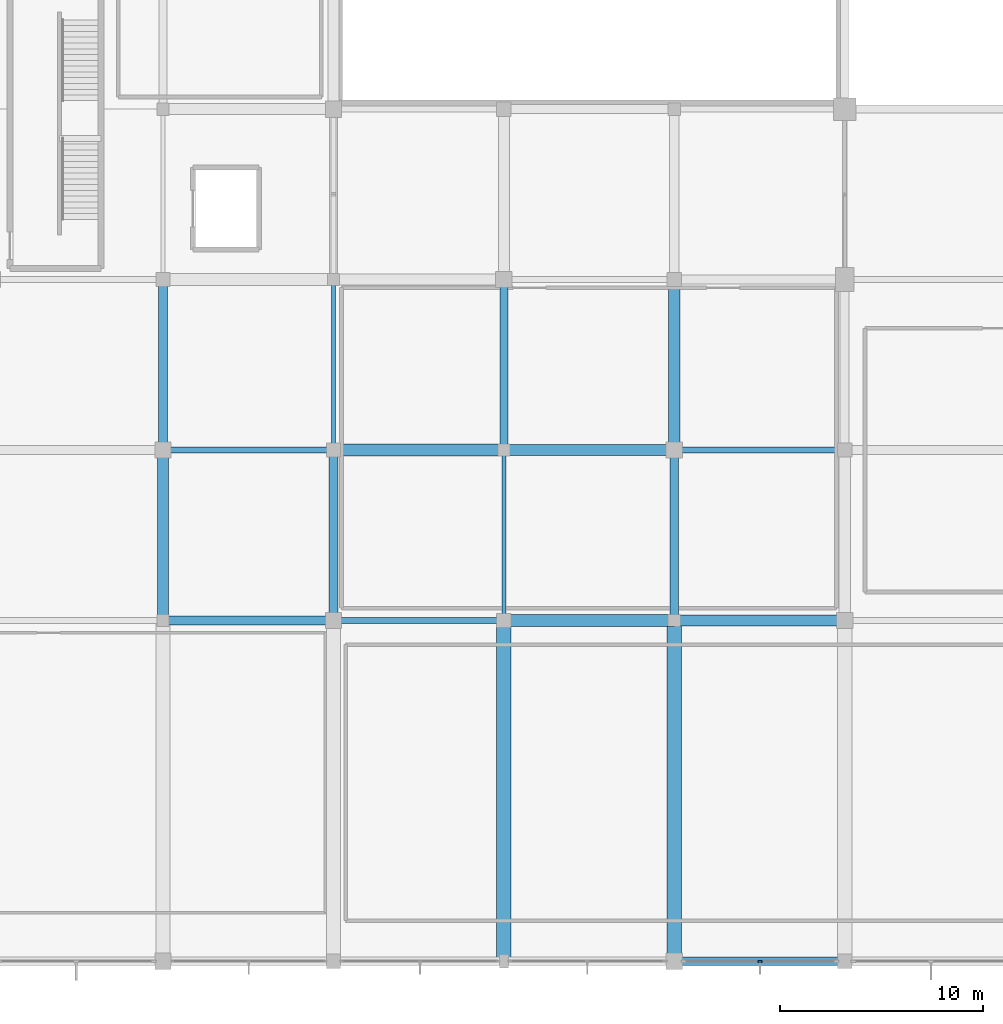
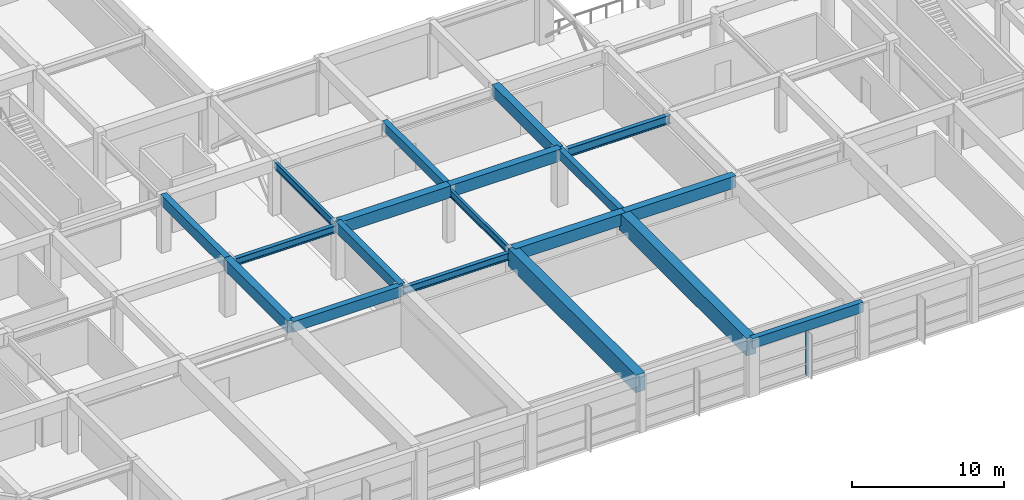
# One storey, part 12 of 65: 19 beams, 1 member, 1 element without a shape of its own.
"""IFC4 building model written with IfcOpenShell, lengths in metres."""

from ifc_helpers import new_model, si_unit, direction, frame, origin, origin_2d, place, context, subcontext, project, spatial, rectangle, i_section, extrude, material, material_profile, profile_set, type_object, element, aggregate, save


model = new_model("IFC4")

# Units and contexts
model_context = context("Model", 3, precision=1e-05, world=origin(), true_north=direction((0.0, 1.0)))
body_context = subcontext(model_context, "Body", "Model", "MODEL_VIEW")
ifc_project = project(units=[si_unit("LENGTHUNIT", "METRE"), si_unit("AREAUNIT", "SQUARE_METRE"), si_unit("VOLUMEUNIT", "CUBIC_METRE"), si_unit("PLANEANGLEUNIT", "RADIAN"), si_unit("MASSUNIT", "GRAM", prefix="KILO")], contexts=[model_context])

# Site, building, storey
site_placement = place(None, origin())
site = spatial("IfcSite", under=ifc_project, at=site_placement, CompositionType="ELEMENT")
building_placement = place(site_placement, origin())
building = spatial("IfcBuilding", under=site, at=building_placement, Name="Xuanlan Plaza Opera House", CompositionType="ELEMENT")
storey_placement = place(building_placement, frame((0.0, 0.0, 5.39990234375)))
storey = spatial("IfcBuildingStorey", under=building, at=storey_placement, Name="L01", CompositionType="ELEMENT", Elevation=5.39990234375)

# Curtain wall, member
ifc_material_1 = material(Name="Anodised Aluminium 6063-T6 and Low-E Glass", Category="aluminium")
curtain_wall_type = type_object("IfcCurtainWallType", Name="ENV-CW-CW-05", PredefinedType="USERDEFINED", material=ifc_material_1)
curtain_wall_placement = place(storey_placement, origin())
curtain_wall = element("IfcCurtainWall", 1, at=curtain_wall_placement, inside=storey, type_object=curtain_wall_type, Name="Acoustic Glazed Wall L01-006", ObjectType="ACOUSTIC GLAZED WALL", PredefinedType="USERDEFINED")
ifc_material_2 = material(Name="Anodised Aluminium 6063-T6", Category="aluminium")
ifc_material_profile_1 = material_profile(ifc_material_2, rectangle(XDim=0.080078125, YDim=0.219970703125, at=origin_2d()), Name="ALU-M 80x220")
ifc_profile_set_1 = profile_set([ifc_material_profile_1], Name="Anodised Aluminium 6063-T6")
member_type = type_object("IfcMemberType", Name="ENV-CWM-04", PredefinedType="MULLION", material=ifc_profile_set_1)
member_placement = place(storey_placement, frame((63.02490234375, 0.0, 0.0), z_axis=(0.0, 0.0, 1.0), x_axis=(0.0, 1.0, 0.0)))
member = element("IfcMember", 2, at=member_placement, type_object=member_type, Name="CW-05 mullion 2", PredefinedType="MULLION", context=body_context, shape_type="SweptSolid", body=[
    extrude(rectangle(XDim=0.080078125, YDim=0.219970703125, at=origin_2d()), origin(), (0.0, 0.0, 1.0), 3.68017578125),
])
aggregate(curtain_wall, [member])

# Beams
ifc_material_3 = material(Name="Concrete C50", Category="concrete")
ifc_material_profile_2 = material_profile(ifc_material_3, rectangle(XDim=0.60009765625, YDim=0.949951171875, at=origin_2d()), Name="RC-BM 600x950")
ifc_profile_set_2 = profile_set([ifc_material_profile_2], Name="Concrete C50")
beam_type_1 = type_object("IfcBeamType", Name="STR-BM-B-01", PredefinedType="BEAM", material=ifc_profile_set_2)
beam_1_placement = place(storey_placement, frame((50.39990234375, 16.800048828125, 4.025146484375), z_axis=(1.0, 0.0, 0.0), x_axis=(0.0, 1.0, 0.0)))
element("IfcBeam", 3, at=beam_1_placement, inside=storey, type_object=beam_type_1, Name="Grid Beam X L01 7-8/C", PredefinedType="BEAM", context=body_context, shape_type="SweptSolid", body=[
    extrude(rectangle(XDim=0.60009765625, YDim=0.949951171875, at=origin_2d()), origin(), (0.0, 0.0, 1.0), 8.400146484375),
])
beam_2_placement = place(storey_placement, frame((42.0, 25.199951171875, 4.025146484375), z_axis=(1.0, 0.0, 0.0), x_axis=(0.0, 1.0, 0.0)))
element("IfcBeam", 4, at=beam_2_placement, inside=storey, type_object=beam_type_1, Name="Grid Beam X L01 6-7/D", PredefinedType="BEAM", context=body_context, shape_type="SweptSolid", body=[
    extrude(rectangle(XDim=0.60009765625, YDim=0.949951171875, at=origin_2d()), origin(), (0.0, 0.0, 1.0), 8.39990234375),
])
ifc_material_profile_3 = material_profile(ifc_material_3, rectangle(XDim=0.550048828125, YDim=0.949951171875, at=origin_2d()), Name="RC-BM 550x950")
ifc_profile_set_3 = profile_set([ifc_material_profile_3], Name="Concrete C50")
beam_type_2 = type_object("IfcBeamType", Name="STR-BM-B-02", PredefinedType="BEAM", material=ifc_profile_set_3)
beam_3_placement = place(storey_placement, frame((58.800048828125, 16.800048828125, 4.025146484375), z_axis=(1.0, 0.0, 0.0), x_axis=(0.0, 1.0, 0.0)))
element("IfcBeam", 5, at=beam_3_placement, inside=storey, type_object=beam_type_2, Name="Grid Beam X L01 8-9/C", PredefinedType="BEAM", context=body_context, shape_type="SweptSolid", body=[
    extrude(rectangle(XDim=0.550048828125, YDim=0.949951171875, at=origin_2d()), origin(), (0.0, 0.0, 1.0), 8.39990234375),
])
beam_4_placement = place(storey_placement, frame((50.39990234375, 25.199951171875, 4.025146484375), z_axis=(1.0, 0.0, 0.0), x_axis=(0.0, 1.0, 0.0)))
element("IfcBeam", 6, at=beam_4_placement, inside=storey, type_object=beam_type_2, Name="Grid Beam X L01 7-8/D", PredefinedType="BEAM", context=body_context, shape_type="SweptSolid", body=[
    extrude(rectangle(XDim=0.550048828125, YDim=0.949951171875, at=origin_2d()), origin(), (0.0, 0.0, 1.0), 8.400146484375),
])
beam_5_placement = place(storey_placement, frame((33.60009765625, 16.800048828125, 4.025146484375), z_axis=(0.0, 1.0, 0.0), x_axis=(-1.0, 0.0, 0.0)))
element("IfcBeam", 7, at=beam_5_placement, inside=storey, type_object=beam_type_2, Name="Grid Beam Y L01 5/C-D", PredefinedType="BEAM", context=body_context, shape_type="SweptSolid", body=[
    extrude(rectangle(XDim=0.550048828125, YDim=0.949951171875, at=origin_2d()), origin(), (0.0, 0.0, 1.0), 8.39990234375),
])
beam_6_placement = place(storey_placement, frame((58.800048828125, 25.199951171875, 4.025146484375), z_axis=(0.0, 1.0, 0.0), x_axis=(-1.0, 0.0, 0.0)))
element("IfcBeam", 8, at=beam_6_placement, inside=storey, type_object=beam_type_2, Name="Grid Beam Y L01 8/D-E", PredefinedType="BEAM", context=body_context, shape_type="SweptSolid", body=[
    extrude(rectangle(XDim=0.550048828125, YDim=0.949951171875, at=origin_2d()), origin(), (0.0, 0.0, 1.0), 8.400146484375),
])
ifc_material_4 = material(Name="Concrete C40", Category="concrete")
ifc_material_profile_4 = material_profile(ifc_material_4, rectangle(XDim=0.449951171875, YDim=0.85009765625, at=origin_2d()), Name="RC-BM 450x850")
ifc_profile_set_4 = profile_set([ifc_material_profile_4], Name="Concrete C40")
beam_type_3 = type_object("IfcBeamType", Name="STR-BM-B-04", PredefinedType="BEAM", material=ifc_profile_set_4)
beam_7_placement = place(storey_placement, frame((33.60009765625, 16.800048828125, 4.0751953125), z_axis=(1.0, 0.0, 0.0), x_axis=(0.0, 1.0, 0.0)))
element("IfcBeam", 9, at=beam_7_placement, inside=storey, type_object=beam_type_3, Name="Grid Beam X L01 5-6/C", PredefinedType="BEAM", context=body_context, shape_type="SweptSolid", body=[
    extrude(rectangle(XDim=0.449951171875, YDim=0.85009765625, at=origin_2d()), origin(), (0.0, 0.0, 1.0), 8.39990234375),
])
beam_8_placement = place(storey_placement, frame((33.60009765625, 25.199951171875, 4.0751953125), z_axis=(0.0, 1.0, 0.0), x_axis=(-1.0, 0.0, 0.0)))
element("IfcBeam", 10, at=beam_8_placement, inside=storey, type_object=beam_type_3, Name="Grid Beam Y L01 5/D-E", PredefinedType="BEAM", context=body_context, shape_type="SweptSolid", body=[
    extrude(rectangle(XDim=0.449951171875, YDim=0.85009765625, at=origin_2d()), origin(), (0.0, 0.0, 1.0), 8.400146484375),
])
beam_9_placement = place(storey_placement, frame((42.0, 16.800048828125, 4.0751953125), z_axis=(0.0, 1.0, 0.0), x_axis=(-1.0, 0.0, 0.0)))
element("IfcBeam", 11, at=beam_9_placement, inside=storey, type_object=beam_type_3, Name="Grid Beam Y L01 6/C-D", PredefinedType="BEAM", context=body_context, shape_type="SweptSolid", body=[
    extrude(rectangle(XDim=0.449951171875, YDim=0.85009765625, at=origin_2d()), origin(), (0.0, 0.0, 1.0), 8.39990234375),
])
ifc_material_profile_5 = material_profile(ifc_material_4, rectangle(XDim=0.39990234375, YDim=0.75, at=origin_2d()), Name="RC-BM 400x750")
ifc_profile_set_5 = profile_set([ifc_material_profile_5], Name="Concrete C40")
beam_type_4 = type_object("IfcBeamType", Name="STR-BM-B-06", PredefinedType="BEAM", material=ifc_profile_set_5)
beam_10_placement = place(storey_placement, frame((50.39990234375, 25.199951171875, 4.125), z_axis=(0.0, 1.0, 0.0), x_axis=(-1.0, 0.0, 0.0)))
element("IfcBeam", 12, at=beam_10_placement, inside=storey, type_object=beam_type_4, Name="Grid Beam Y L01 7/D-E", PredefinedType="BEAM", context=body_context, shape_type="SweptSolid", body=[
    extrude(rectangle(XDim=0.39990234375, YDim=0.75, at=origin_2d()), origin(), (0.0, 0.0, 1.0), 8.400146484375),
])
beam_11_placement = place(storey_placement, frame((58.800048828125, 16.800048828125, 4.125), z_axis=(0.0, 1.0, 0.0), x_axis=(-1.0, 0.0, 0.0)))
element("IfcBeam", 13, at=beam_11_placement, inside=storey, type_object=beam_type_4, Name="Grid Beam Y L01 8/C-D", PredefinedType="BEAM", context=body_context, shape_type="SweptSolid", body=[
    extrude(rectangle(XDim=0.39990234375, YDim=0.75, at=origin_2d()), origin(), (0.0, 0.0, 1.0), 8.39990234375),
])
ifc_material_profile_6 = material_profile(ifc_material_3, rectangle(XDim=0.699951171875, YDim=1.39990234375, at=origin_2d()), Name="RC-LG 700x1400")
ifc_profile_set_6 = profile_set([ifc_material_profile_6], Name="Concrete C50")
beam_type_5 = type_object("IfcBeamType", Name="STR-BM-LG-01", PredefinedType="BEAM", material=ifc_profile_set_6)
for number, where, z_axis, x_axis, name in (
    (14, (50.39990234375, 0.0, 3.800048828125), (0.0, 1.0, 0.0), (-1.0, 0.0, 0.0), "Grid Beam Y L01 7/A-C"),
    (15, (58.800048828125, 0.0, 3.800048828125), (0.0, 1.0, 0.0), (-1.0, 0.0, 0.0), "Grid Beam Y L01 8/A-C"),
):
    element("IfcBeam", number, at=place(storey_placement, frame(where, z_axis=z_axis, x_axis=x_axis)), inside=storey, type_object=beam_type_5, Name=name, PredefinedType="BEAM", context=body_context, shape_type="SweptSolid", body=[
        extrude(rectangle(XDim=0.699951171875, YDim=1.39990234375, at=origin_2d()), origin(), (0.0, 0.0, 1.0), 16.800048828125),
    ])
ifc_material_5 = material(Name="Steel Q355B", Category="steel")
ifc_material_profile_7 = material_profile(ifc_material_5, i_section(OverallWidth=0.300048828125, OverallDepth=0.699951171875, WebThickness=0.012939453125, FlangeThickness=0.02392578125, FilletRadius=0.02392578125, at=origin_2d()), Name="HN 700x300x13x24")
ifc_profile_set_7 = profile_set([ifc_material_profile_7], Name="Steel Q355B")
beam_type_6 = type_object("IfcBeamType", Name="STR-BM-SB-03", PredefinedType="BEAM", material=ifc_profile_set_7)
beam_12_placement = place(storey_placement, frame((58.800048828125, 25.199951171875, 3.885009765625), z_axis=(1.0, 0.0, 0.0), x_axis=(0.0, 1.0, 0.0)))
element("IfcBeam", 16, at=beam_12_placement, inside=storey, type_object=beam_type_6, Name="Grid Beam X L01 8-9/D", PredefinedType="BEAM", context=body_context, shape_type="SweptSolid", body=[
    extrude(i_section(OverallWidth=0.300048828125, OverallDepth=0.699951171875, WebThickness=0.012939453125, FlangeThickness=0.02392578125, FilletRadius=0.02392578125, at=origin_2d()), origin(), (0.0, 0.0, 1.0), 8.39990234375),
])
ifc_material_profile_8 = material_profile(ifc_material_5, i_section(OverallWidth=0.199951171875, OverallDepth=0.60009765625, WebThickness=0.010986328125, FlangeThickness=0.01708984375, FilletRadius=0.02197265625, at=origin_2d()), Name="HN 600x200x11x17")
ifc_profile_set_8 = profile_set([ifc_material_profile_8], Name="Steel Q355B")
beam_type_7 = type_object("IfcBeamType", Name="STR-BM-SB-04", PredefinedType="BEAM", material=ifc_profile_set_8)
beam_13_placement = place(storey_placement, frame((42.0, 25.199951171875, 3.93505859375), z_axis=(0.0, 1.0, 0.0), x_axis=(-1.0, 0.0, 0.0)))
element("IfcBeam", 17, at=beam_13_placement, inside=storey, type_object=beam_type_7, Name="Grid Beam Y L01 6/D-E", PredefinedType="BEAM", context=body_context, shape_type="SweptSolid", body=[
    extrude(i_section(OverallWidth=0.199951171875, OverallDepth=0.60009765625, WebThickness=0.010986328125, FlangeThickness=0.01708984375, FilletRadius=0.02197265625, at=origin_2d()), origin(), (0.0, 0.0, 1.0), 8.400146484375),
])
beam_14_placement = place(storey_placement, frame((50.39990234375, 16.800048828125, 3.93505859375), z_axis=(0.0, 1.0, 0.0), x_axis=(-1.0, 0.0, 0.0)))
element("IfcBeam", 18, at=beam_14_placement, inside=storey, type_object=beam_type_7, Name="Grid Beam Y L01 7/C-D", PredefinedType="BEAM", context=body_context, shape_type="SweptSolid", body=[
    extrude(i_section(OverallWidth=0.199951171875, OverallDepth=0.60009765625, WebThickness=0.010986328125, FlangeThickness=0.01708984375, FilletRadius=0.02197265625, at=origin_2d()), origin(), (0.0, 0.0, 1.0), 8.39990234375),
])
ifc_material_profile_9 = material_profile(ifc_material_5, i_section(OverallWidth=0.300048828125, OverallDepth=0.587890625, WebThickness=0.011962890625, FlangeThickness=0.02001953125, FilletRadius=0.02392578125, at=origin_2d()), Name="HM 588x300x12x20")
ifc_profile_set_9 = profile_set([ifc_material_profile_9], Name="Steel Q355B")
beam_type_8 = type_object("IfcBeamType", Name="STR-BM-SB-06", PredefinedType="BEAM", material=ifc_profile_set_9)
for number, where, z_axis, x_axis, name in (
    (19, (42.0, 16.800048828125, 3.941162109375), (1.0, 0.0, 0.0), (0.0, 1.0, 0.0), "Grid Beam X L01 6-7/C"),
    (20, (33.60009765625, 25.199951171875, 3.941162109375), (1.0, 0.0, 0.0), (0.0, 1.0, 0.0), "Grid Beam X L01 5-6/D"),
):
    element("IfcBeam", number, at=place(storey_placement, frame(where, z_axis=z_axis, x_axis=x_axis)), inside=storey, type_object=beam_type_8, Name=name, PredefinedType="BEAM", context=body_context, shape_type="SweptSolid", body=[
        extrude(i_section(OverallWidth=0.300048828125, OverallDepth=0.587890625, WebThickness=0.011962890625, FlangeThickness=0.02001953125, FilletRadius=0.02392578125, at=origin_2d()), origin(), (0.0, 0.0, 1.0), 8.39990234375),
    ])
ifc_material_profile_10 = material_profile(ifc_material_4, rectangle(XDim=0.39990234375, YDim=0.800048828125, at=origin_2d()), Name="RC-SPD 400x800")
ifc_profile_set_10 = profile_set([ifc_material_profile_10], Name="Concrete C40")
beam_type_9 = type_object("IfcBeamType", Name="STR-BM-SP-01", PredefinedType="SPANDREL", material=ifc_profile_set_10)
beam_15_placement = place(storey_placement, frame((58.800048828125, 0.0, 4.10009765625), z_axis=(1.0, 0.0, 0.0), x_axis=(0.0, 1.0, 0.0)))
element("IfcBeam", 21, at=beam_15_placement, inside=storey, type_object=beam_type_9, Name="Grid Beam X L01 8-9/A", PredefinedType="SPANDREL", context=body_context, shape_type="SweptSolid", body=[
    extrude(rectangle(XDim=0.39990234375, YDim=0.800048828125, at=origin_2d()), origin(), (0.0, 0.0, 1.0), 8.39990234375),
])

save(model, "model.ifc")
